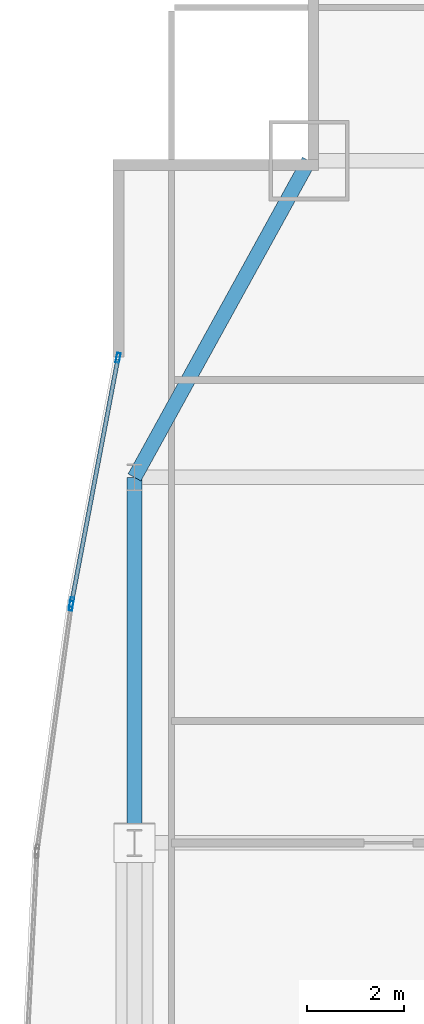
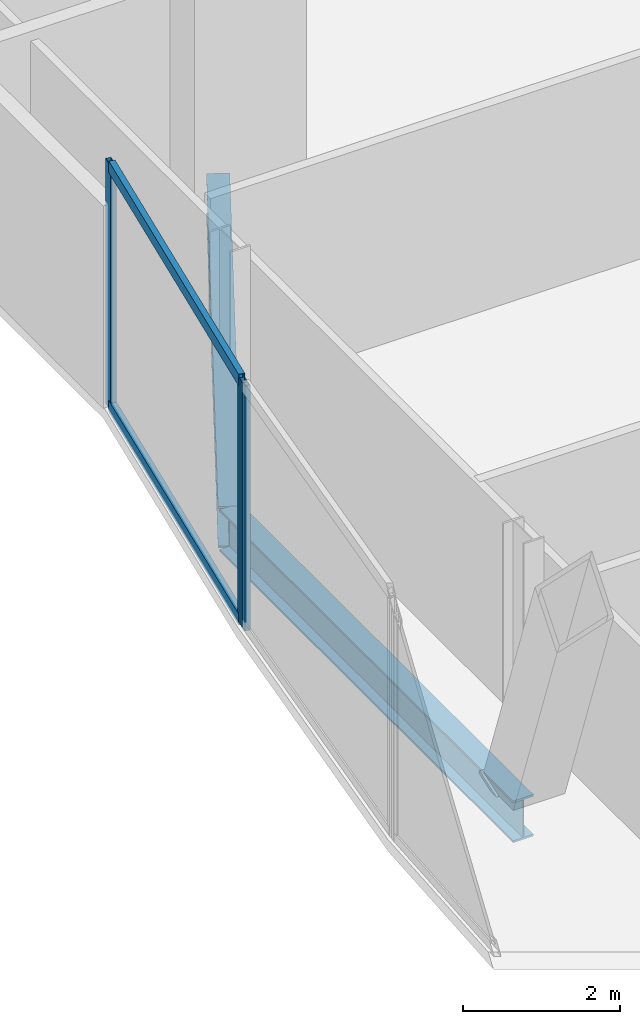
# One storey, part 16 of 37: 5 members, 2 beams, 2 elements without a shape of their own.
"""IFC4 building model written with IfcOpenShell, lengths in metres."""

import ifcopenshell
import ifcopenshell.guid

model = None  # the IFC model being written
_history = None  # IfcOwnerHistory: only IFC2X3 demands one
_inside = {}  # id of a spatial element -> (the spatial element, [elements in it])
_under = {}  # id of a project, library or spatial element -> (it, [spatial elements below it])
_declared = {}  # id of a project -> (the project, [libraries it declares])
_typed = {}  # id of a type object -> (the type object, [elements of that type])
_made_of = {}  # id of a material, layer set ... -> (it, [elements and type objects made of it])


def new_model(schema):
    """Start an empty IFC model of exactly this schema.

    Asked for "IFC4X3", IfcOpenShell would pick the latest addendum, in which some entities
    have other attributes; the version numbers below select the first issue.
    IFC2X3 requires an IfcOwnerHistory on every rooted entity: one is made here for all.
    """
    global model, _history
    if schema == "IFC4X3":
        model = ifcopenshell.file(schema_version=(4, 3, 0, 0))
    else:
        model = ifcopenshell.file(schema=schema)
    _inside.clear()
    _under.clear()
    _declared.clear()
    _typed.clear()
    _made_of.clear()
    _history = None
    if model.schema == "IFC2X3":
        org = make("IfcOrganization", Name="unknown")
        user = make(
            "IfcPersonAndOrganization",
            ThePerson=make("IfcPerson", FamilyName="unknown"),
            TheOrganization=org,
        )
        app = make(
            "IfcApplication",
            ApplicationDeveloper=org,
            Version="unknown",
            ApplicationFullName="unknown",
            ApplicationIdentifier="unknown",
        )
        _history = make(
            "IfcOwnerHistory",
            OwningUser=user,
            OwningApplication=app,
            ChangeAction="ADDED",
            CreationDate=0,
        )
    return model


def make(cls, **values):
    """One entity of the class cls with the attributes given. An attribute that is None is left unset."""
    return model.create_entity(
        cls, **{name: value for name, value in values.items() if value is not None}
    )


def rooted(cls, **values):
    """An entity with a GlobalId (a new one), such as an element, a storey or a relation."""
    return make(cls, GlobalId=ifcopenshell.guid.new(), OwnerHistory=_history, **values)


def si_unit(unit_type, name, prefix=None):
    """IfcSIUnit, for example si_unit("LENGTHUNIT", "METRE", prefix="MILLI")."""
    return make("IfcSIUnit", UnitType=unit_type, Prefix=prefix, Name=name)


def assignment(units):
    """IfcUnitAssignment: the units of a project."""
    return None if units is None else make("IfcUnitAssignment", Units=units)


def point(xyz):
    """IfcCartesianPoint."""
    return None if xyz is None else make("IfcCartesianPoint", Coordinates=xyz)


def direction(xyz):
    """IfcDirection."""
    return None if xyz is None else make("IfcDirection", DirectionRatios=xyz)


def frame(location, z_axis=None, x_axis=None):
    """IfcAxis2Placement3D, a coordinate frame: its origin and axes. An axis left out is left unset."""
    return make(
        "IfcAxis2Placement3D",
        Location=point(location),
        Axis=direction(z_axis),
        RefDirection=direction(x_axis),
    )


def frame_2d(location, x_axis=None):
    """IfcAxis2Placement2D, a coordinate frame in the plane: its origin and x axis."""
    return make(
        "IfcAxis2Placement2D", Location=point(location), RefDirection=direction(x_axis)
    )


def origin():
    """The frame at (0, 0, 0) with its axes left unset."""
    return frame((0.0, 0.0, 0.0))


def origin_2d():
    """The frame at (0, 0) in the plane with its x axis left unset."""
    return frame_2d((0.0, 0.0))


def place(relative_to, where):
    """IfcLocalPlacement: puts the frame where relative to a parent placement (None: the world)."""
    return make(
        "IfcLocalPlacement", PlacementRelTo=relative_to, RelativePlacement=where
    )


def context(
    kind, dimensions, precision=None, world=None, true_north=None, identifier=None
):
    """IfcGeometricRepresentationContext, for example the 3D "Model" context."""
    return make(
        "IfcGeometricRepresentationContext",
        ContextIdentifier=identifier,
        ContextType=kind,
        CoordinateSpaceDimension=dimensions,
        Precision=precision,
        WorldCoordinateSystem=world,
        TrueNorth=true_north,
    )


def subcontext(parent, identifier, kind, view, scale=None):
    """IfcGeometricRepresentationSubContext, for example "Body" below "Model"."""
    return make(
        "IfcGeometricRepresentationSubContext",
        ContextIdentifier=identifier,
        ContextType=kind,
        ParentContext=parent,
        TargetScale=scale,
        TargetView=view,
    )


def project(units=None, contexts=None):
    """IfcProject with its units and contexts."""
    return rooted(
        "IfcProject",
        Name="project",
        RepresentationContexts=contexts,
        UnitsInContext=assignment(units),
    )


def spatial(cls, under=None, at=None, **own):
    """A site, building, storey or space (cls), placed at a placement, below another one or the project."""
    s = rooted(cls, ObjectPlacement=at, **own)
    if under is not None:
        _under.setdefault(under.id(), (under, []))[1].append(s)
    return s


def profile(cls, at=None, kind="AREA", **sizes):
    """A parametric profile (cls). Its sizes go by their IFC names, for example OverallWidth=200.0."""
    return make(cls, ProfileType=kind, Position=at, **sizes)


def hollow_rectangle(**sizes):
    """IfcRectangleHollowProfileDef."""
    return profile("IfcRectangleHollowProfileDef", **sizes)


def i_section(**sizes):
    """IfcIShapeProfileDef."""
    return profile("IfcIShapeProfileDef", **sizes)


def extrude(swept, where, along, depth):
    """IfcExtrudedAreaSolid: the profile swept, set in the frame where, extruded along a direction by depth."""
    return make(
        "IfcExtrudedAreaSolid",
        SweptArea=swept,
        Position=where,
        ExtrudedDirection=direction(along),
        Depth=depth,
    )


def shape(context_of_items, identifier, shape_type, items):
    """IfcShapeRepresentation: the items that make up one representation, for example the "Body"."""
    return make(
        "IfcShapeRepresentation",
        ContextOfItems=context_of_items,
        RepresentationIdentifier=identifier,
        RepresentationType=shape_type,
        Items=items,
    )


def material(Name=None, Category=None):
    """IfcMaterial."""
    return make("IfcMaterial", Name=Name, Category=Category)


def material_profile(
    of_material, cross_section, Name=None, Category=None, Priority=None
):
    """IfcMaterialProfile: a cross section and its material."""
    return make(
        "IfcMaterialProfile",
        Name=Name,
        Material=of_material,
        Profile=cross_section,
        Priority=Priority,
        Category=Category,
    )


def profile_set(profiles, Name=None, composite=None):
    """IfcMaterialProfileSet."""
    return make(
        "IfcMaterialProfileSet",
        Name=Name,
        MaterialProfiles=profiles,
        CompositeProfile=composite,
    )


def made_of(thing, what):
    """Note that an element or type object is made of a material, layer set ...; save() writes the relation."""
    if what is not None:
        _made_of.setdefault(what.id(), (what, []))[1].append(thing)
    return thing


def type_object(cls, material=None, **own):
    """A type object (cls), such as IfcWallType, which elements share."""
    return made_of(rooted(cls, **own), material)


def element(
    cls,
    number,
    at=None,
    inside=None,
    cuts=None,
    type_object=None,
    material=None,
    context=None,
    identifier="Body",
    shape_type=None,
    held_by="IfcProductDefinitionShape",
    body=None,
    shapes=None,
    **own,
):
    """One element of the class cls, such as IfcWall. Its Tag is "e" and its number.

    at: its placement. inside: the storey or other place that contains it. cuts: it is an
    opening in that element (IfcRelVoidsElement). A single representation is given by context,
    identifier, shape_type and body (its items); several are given by shapes. held_by: the class
    of the entity that holds the representations. save() writes the other relations.
    """
    e = rooted(cls, Tag="e%d" % number, ObjectPlacement=at, **own)
    if body is not None:
        shapes = [shape(context, identifier, shape_type, body)]
    if shapes is not None:
        e.Representation = make(held_by, Representations=shapes)
    if inside is not None:
        _inside.setdefault(inside.id(), (inside, []))[1].append(e)
    if cuts is not None:
        rooted(
            "IfcRelVoidsElement", RelatingBuildingElement=cuts, RelatedOpeningElement=e
        )
    if type_object is not None:
        _typed.setdefault(type_object.id(), (type_object, []))[1].append(e)
    return made_of(e, material)


def aggregate(whole, parts):
    """IfcRelAggregates: a whole, such as a stair, and the parts it consists of."""
    return rooted("IfcRelAggregates", RelatingObject=whole, RelatedObjects=parts)


def save(model, path):
    """Write the relations noted so far, then the file.

    IfcRelAggregates (storeys below a building ...), IfcRelContainedInSpatialStructure (elements
    in a storey), IfcRelDefinesByType, IfcRelAssociatesMaterial and IfcRelDeclares: one each for
    every whole, place, type object, material and project.
    """
    for whole, parts in _under.values():
        aggregate(whole, parts)
    for where, things in _inside.values():
        rooted(
            "IfcRelContainedInSpatialStructure",
            RelatedElements=things,
            RelatingStructure=where,
        )
    for kind, things in _typed.values():
        rooted("IfcRelDefinesByType", RelatedObjects=things, RelatingType=kind)
    for what, things in _made_of.values():
        rooted("IfcRelAssociatesMaterial", RelatedObjects=things, RelatingMaterial=what)
    for by, libraries in _declared.values():
        rooted("IfcRelDeclares", RelatingContext=by, RelatedDefinitions=libraries)
    model.write(path)


model = new_model("IFC4")

# Units and contexts
model_context = context("Model", 3, precision=1e-05, world=origin(), true_north=direction((0.0, 1.0)))
body_context = subcontext(model_context, "Body", "Model", "MODEL_VIEW")
ifc_project = project(units=[si_unit("LENGTHUNIT", "METRE"), si_unit("AREAUNIT", "SQUARE_METRE"), si_unit("VOLUMEUNIT", "CUBIC_METRE"), si_unit("PLANEANGLEUNIT", "RADIAN"), si_unit("MASSUNIT", "GRAM", prefix="KILO")], contexts=[model_context])

# Site, building, storey
site_placement = place(None, origin())
site = spatial("IfcSite", under=ifc_project, at=site_placement, CompositionType="ELEMENT")
building_placement = place(site_placement, origin())
building = spatial("IfcBuilding", under=site, at=building_placement, Name="Khoronbel Lancet Exchange", CompositionType="ELEMENT")
storey_placement = place(building_placement, frame((0.0, 0.0, 61.800048828125)))
storey = spatial("IfcBuildingStorey", under=building, at=storey_placement, Name="L14", CompositionType="ELEMENT", Elevation=61.800048828125)

# Beams
ifc_material_1 = material(Name="Steel S355", Category="steel")
ifc_material_profile_1 = material_profile(ifc_material_1, i_section(OverallWidth=0.300048828125, OverallDepth=0.64990234375, WebThickness=0.01611328125, FlangeThickness=0.031005859375, at=origin_2d()), Name="HEB 650")
ifc_profile_set_1 = profile_set([ifc_material_profile_1], Name="Steel S355")
beam_type = type_object("IfcBeamType", Name="BM-BSP1", PredefinedType="SPANDREL", material=ifc_profile_set_1)
beam_1_placement = place(storey_placement, frame((4.85009765625, 49.699951171875, -0.505126953125), z_axis=(-0.482444051088, -0.875926787791, 0.0), x_axis=(0.875926787791, -0.482444051088, 0.0)))
element("IfcBeam", 1, at=beam_1_placement, inside=storey, type_object=beam_type, Name="Level L14 perimeter spandrel beam SP16", PredefinedType="SPANDREL", context=body_context, shape_type="SweptSolid", body=[
    extrude(i_section(OverallWidth=0.300048828125, OverallDepth=0.64990234375, WebThickness=0.01611328125, FlangeThickness=0.031005859375, at=origin_2d()), origin(), (0.0, 0.0, 1.0), 7.420654296875),
])
beam_2_placement = place(storey_placement, frame((1.27001953125, 43.199951171875, -0.505126953125), z_axis=(0.0, -1.0, 0.0), x_axis=(1.0, 0.0, 0.0)))
element("IfcBeam", 2, at=beam_2_placement, inside=storey, type_object=beam_type, Name="Level L14 perimeter spandrel beam SP17", PredefinedType="SPANDREL", context=body_context, shape_type="SweptSolid", body=[
    extrude(i_section(OverallWidth=0.300048828125, OverallDepth=0.64990234375, WebThickness=0.01611328125, FlangeThickness=0.031005859375, at=origin_2d()), origin(), (0.0, 0.0, 1.0), 7.5),
])

# Curtain wall, member
ifc_material_2 = material(Name="Low-E Solar Control Insulating Glass", Category="glass")
curtain_wall_type = type_object("IfcCurtainWallType", Name="CW-4", PredefinedType="NOTDEFINED", material=ifc_material_2)
curtain_wall_1_placement = place(storey_placement, origin())
curtain_wall_1 = element("IfcCurtainWall", 3, at=curtain_wall_1_placement, inside=storey, type_object=curtain_wall_type, Name="Unitised curtain wall CW-L14-E08", PredefinedType="NOTDEFINED")
ifc_material_3 = material(Name="Bronze-Anodised Aluminium 6063-T6", Category="aluminium")
ifc_material_profile_2 = material_profile(ifc_material_3, hollow_rectangle(XDim=0.074951171875, YDim=0.199951171875, WallThickness=0.0048828125, at=origin_2d()), Name="ALU MULLION 75x200")
ifc_profile_set_2 = profile_set([ifc_material_profile_2], Name="Bronze-Anodised Aluminium 6063-T6")
member_type_1 = type_object("IfcMemberType", Name="MEM-CWM2", PredefinedType="MULLION", material=ifc_profile_set_2)
member_1_placement = place(storey_placement, frame((-0.031494140625, 40.56494140625, 0.0), z_axis=(0.0, 0.0, 1.0), x_axis=(-0.9904784605, 0.137667785939, 0.0)))
member_1 = element("IfcMember", 4, at=member_1_placement, type_object=member_type_1, Name="CW4 mullion 2", PredefinedType="MULLION", context=body_context, shape_type="SweptSolid", body=[
    extrude(hollow_rectangle(XDim=0.074951171875, YDim=0.199951171875, WallThickness=0.0048828125, at=origin_2d()), origin(), (0.0, 0.0, 1.0), 3.820068359375),
])
aggregate(curtain_wall_1, [member_1])

# Curtain wall, members
curtain_wall_2_placement = place(storey_placement, origin())
curtain_wall_2 = element("IfcCurtainWall", 5, at=curtain_wall_2_placement, inside=storey, type_object=curtain_wall_type, Name="Unitised curtain wall CW-L14-E09", PredefinedType="NOTDEFINED")
member_2_placement = place(storey_placement, frame((-0.019287109375, 40.638916015625, 0.0), z_axis=(0.0, 0.0, 1.0), x_axis=(-0.982445189576, 0.186551466034, 0.0)))
member_2 = element("IfcMember", 6, at=member_2_placement, type_object=member_type_1, Name="CW4 mullion 1", PredefinedType="MULLION", context=body_context, shape_type="SweptSolid", body=[
    extrude(hollow_rectangle(XDim=0.074951171875, YDim=0.199951171875, WallThickness=0.0048828125, at=origin_2d()), origin(), (0.0, 0.0, 1.0), 3.820068359375),
])
member_3_placement = place(storey_placement, frame((0.93310546875, 45.654541015625, 0.0), z_axis=(0.0, 0.0, 1.0), x_axis=(-0.982445189576, 0.186551466034, 0.0)))
member_3 = element("IfcMember", 7, at=member_3_placement, type_object=member_type_1, Name="CW4 mullion 2", PredefinedType="MULLION", context=body_context, shape_type="SweptSolid", body=[
    extrude(hollow_rectangle(XDim=0.074951171875, YDim=0.199951171875, WallThickness=0.0048828125, at=origin_2d()), origin(), (0.0, 0.0, 1.0), 3.820068359375),
])
ifc_material_profile_3 = material_profile(ifc_material_3, hollow_rectangle(XDim=0.0849609375, YDim=0.179931640625, WallThickness=0.0048828125, at=origin_2d()), Name="ALU TRANSOM 85x180")
ifc_profile_set_3 = profile_set([ifc_material_profile_3], Name="Bronze-Anodised Aluminium 6063-T6")
member_type_2 = type_object("IfcMemberType", Name="MEM-CWT1", PredefinedType="USERDEFINED", material=ifc_profile_set_3)
member_4_placement = place(storey_placement, frame((-0.012451171875, 40.67578125, 0.04248046875), z_axis=(0.186558998686, 0.982443759209, 0.0), x_axis=(-0.982443759209, 0.186558998686, 0.0)))
member_4 = element("IfcMember", 8, at=member_4_placement, type_object=member_type_2, Name="CW4 transom 1.1", ObjectType="TRANSOM", PredefinedType="USERDEFINED", context=body_context, shape_type="SweptSolid", body=[
    extrude(hollow_rectangle(XDim=0.0849609375, YDim=0.179931640625, WallThickness=0.0048828125, at=origin_2d()), origin(), (0.0, 0.0, 1.0), 5.030517578125),
])
member_5_placement = place(storey_placement, frame((-0.012451171875, 40.67578125, 3.77734375), z_axis=(0.186558998686, 0.982443759209, 0.0), x_axis=(-0.982443759209, 0.186558998686, 0.0)))
member_5 = element("IfcMember", 9, at=member_5_placement, type_object=member_type_2, Name="CW4 transom 1.2", ObjectType="TRANSOM", PredefinedType="USERDEFINED", context=body_context, shape_type="SweptSolid", body=[
    extrude(hollow_rectangle(XDim=0.0849609375, YDim=0.179931640625, WallThickness=0.0048828125, at=origin_2d()), origin(), (0.0, 0.0, 1.0), 5.030517578125),
])
aggregate(curtain_wall_2, [member_2, member_3, member_4, member_5])

save(model, "model.ifc")
